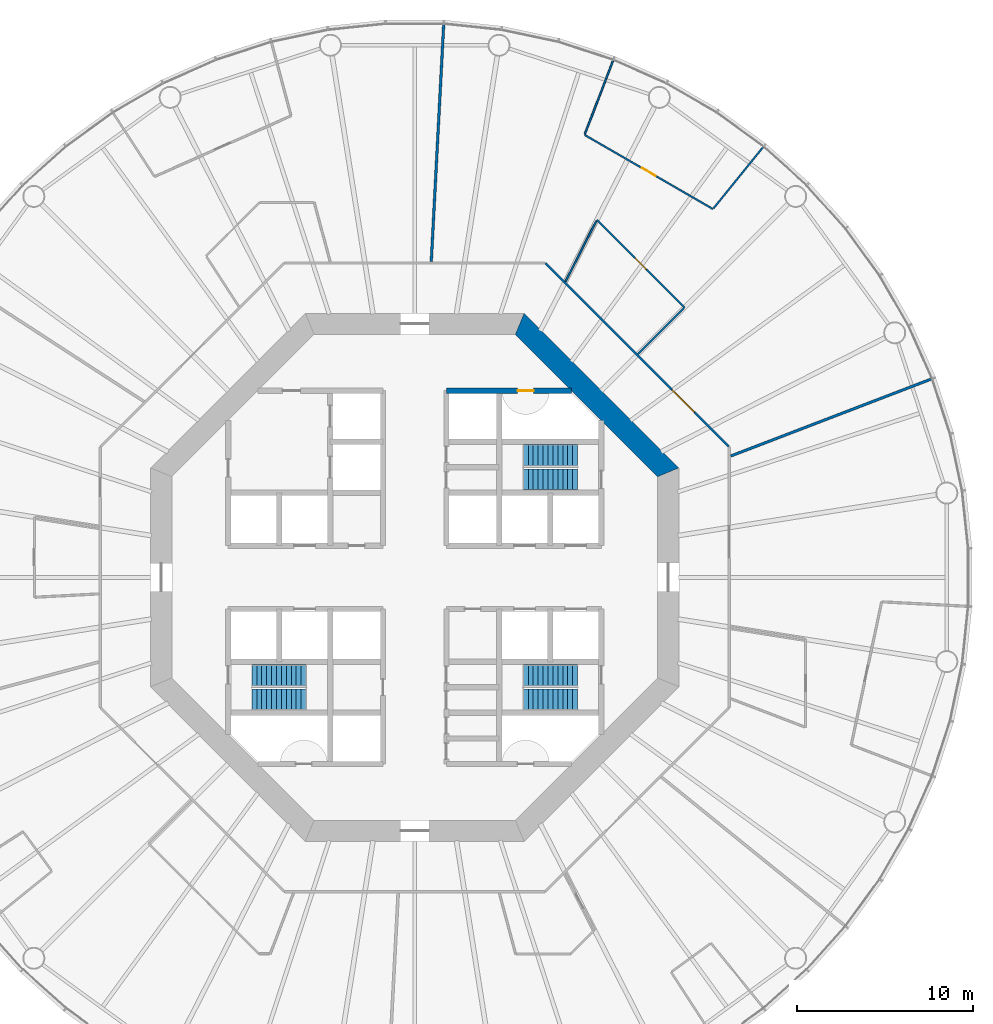
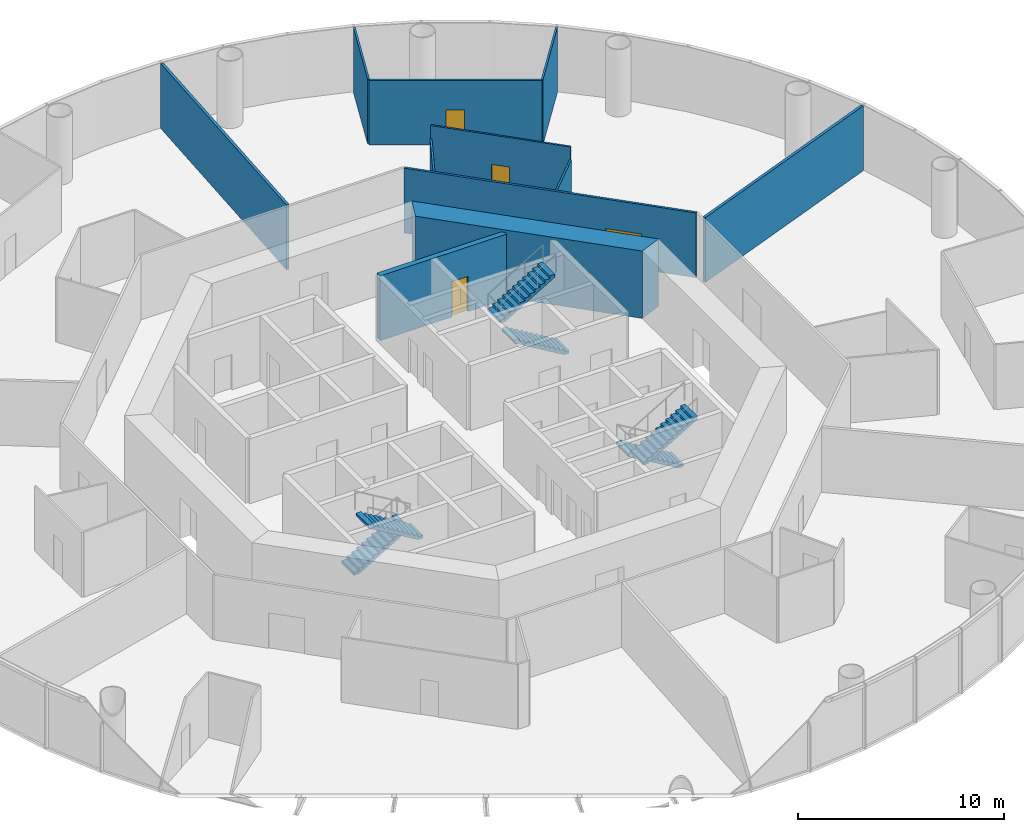
# One storey, part 6 of 13: 11 walls, 6 stair flights, 4 doors, 4 openings, 3 elements without a shape of their own.
"""IFC4 building model written with IfcOpenShell, lengths in metres."""

from ifc_helpers import new_model, si_unit, direction, frame, frame_2d, origin, place, context, subcontext, project, spatial, polyline, rectangle, outline, extrude, material, layer, layer_set, type_object, element, fill, aggregate, save


model = new_model("IFC4")

# Units and contexts
model_context = context("Model", 3, precision=1e-05, world=origin(), true_north=direction((0.0, 1.0)))
body_context = subcontext(model_context, "Body", "Model", "MODEL_VIEW")
ifc_project = project(units=[si_unit("LENGTHUNIT", "METRE"), si_unit("AREAUNIT", "SQUARE_METRE"), si_unit("VOLUMEUNIT", "CUBIC_METRE"), si_unit("PLANEANGLEUNIT", "RADIAN"), si_unit("MASSUNIT", "GRAM", prefix="KILO")], contexts=[model_context])

# Site, building, storey
site_placement = place(None, origin())
site = spatial("IfcSite", under=ifc_project, at=site_placement, CompositionType="ELEMENT")
building_placement = place(site_placement, origin())
building = spatial("IfcBuilding", under=site, at=building_placement, Name="Entoto Ring Tower", CompositionType="ELEMENT")
storey_placement = place(building_placement, frame((0.0, 0.0, 84.0)))
storey = spatial("IfcBuildingStorey", under=building, at=storey_placement, Name="L18", CompositionType="ELEMENT", Elevation=84.0)

# Wall, opening, door
ifc_material_1 = material(Name="Concrete C40/50", Category="concrete")
ifc_layer_1 = layer(ifc_material_1, 0.300048828125)
ifc_layer_set_1 = layer_set([ifc_layer_1], Name="Concrete C40/50")
wall_type_1 = type_object("IfcWallType", Name="Core enclosure wall 300 mm reinforced concrete", PredefinedType="SOLIDWALL", material=ifc_layer_set_1)
wall_1_placement = place(storey_placement, frame((91.800048828125, 90.60009765625, 0.0), z_axis=(0.0, 0.0, 1.0), x_axis=(1.0, 0.0, 0.0)))
wall_1 = element("IfcWall", 1, at=wall_1_placement, inside=storey, type_object=wall_type_1, Name="wall-L18-035", PredefinedType="SOLIDWALL", context=body_context, shape_type="SweptSolid", body=[
    extrude(rectangle(XDim=7.115966796875, YDim=0.300048828125, at=frame_2d((3.55810546875, 0.0))), origin(), (0.0, 0.0, 1.0), 3.85009765625),
])
opening_1_placement = place(wall_1_placement, frame((4.050048828125, 0.0, 0.0)))
opening_1 = element("IfcOpeningElement", 2, at=opening_1_placement, cuts=wall_1, Name="Opening K-72", PredefinedType="OPENING", context=body_context, shape_type="SweptSolid", body=[
    extrude(rectangle(XDim=0.89990234375, YDim=2.10009765625, at=frame_2d((0.449951171875, 1.050048828125))), frame((0.0, 0.16015625, 0.0), z_axis=(0.0, -1.0, 0.0), x_axis=(1.0, 0.0, 0.0)), (0.0, 0.0, 1.0), 0.320068359375),
])
ifc_material_2 = material(Name="Steel door leaf, fire rated", Category="steel")
ifc_layer_2 = layer(ifc_material_2, 0.050048828125)
ifc_layer_set_2 = layer_set([ifc_layer_2], Name="Steel door leaf, fire rated")
door_type_1 = type_object("IfcDoorType", Name="Riser door FD60 900 x 2100 single leaf", OperationType="NOTDEFINED", PredefinedType="DOOR", material=ifc_layer_set_2)
door_1_placement = place(opening_1_placement, frame((0.89990234375, 0.0, 0.0), z_axis=(0.0, 0.0, 1.0), x_axis=(-1.0, 0.0, 0.0)))
door_1 = element("IfcDoor", 3, at=door_1_placement, inside=storey, type_object=door_type_1, Name="Door K-72", OperationType="SINGLE_SWING_LEFT", OverallHeight=2.10009765625, OverallWidth=0.89990234375, PredefinedType="DOOR", context=body_context, shape_type="SweptSolid", body=[
    extrude(rectangle(XDim=0.89990234375, YDim=2.10009765625, at=frame_2d((0.449951171875, 1.050048828125))), frame((0.0, 0.02490234375, 0.0), z_axis=(0.0, -1.0, 0.0), x_axis=(1.0, 0.0, 0.0)), (0.0, 0.0, 1.0), 0.050048828125),
])
fill(opening_1, door_1)

# Wall
ifc_material_3 = material(Name="Concrete C60/75", Category="concrete")
ifc_layer_3 = layer(ifc_material_3, 1.199951171875)
ifc_layer_set_3 = layer_set([ifc_layer_3], Name="Concrete C60/75")
wall_type_2 = type_object("IfcWallType", Name="Core shear wall 1200 mm reinforced concrete C60/75", PredefinedType="SHEAR", material=ifc_layer_set_3)
wall_2_placement = place(storey_placement, frame((104.39990234375, 85.964599609375, 0.0), z_axis=(0.0, 0.0, 1.0), x_axis=(-0.707106781187, 0.707106781187, 0.0)))
element("IfcWall", 4, at=wall_2_placement, inside=storey, type_object=wall_type_2, Name="wall-L18-core-1", PredefinedType="SHEAR", context=body_context, shape_type="SweptSolid", body=[
    extrude(outline(polyline([(-0.24853515625, -0.60009765625), (12.177734375, -0.60009765625), (11.6806640625, 0.60009765625), (0.24853515625, 0.60009765625), (-0.24853515625, -0.60009765625)])), origin(), (0.0, 0.0, 1.0), 4.0),
])

# Wall, opening, door
ifc_material_4 = material(Name="Fire-resisting plasterboard on steel studs", Category="steel")
ifc_layer_4 = layer(ifc_material_4, 0.125)
ifc_layer_set_4 = layer_set([ifc_layer_4], Name="Fire-resisting plasterboard on steel studs")
wall_type_3 = type_object("IfcWallType", Name="Corridor wall 125 mm one-hour plasterboard on steel studs", PredefinedType="PARTITIONING", material=ifc_layer_set_4)
wall_3_placement = place(storey_placement, frame((107.831298828125, 87.429931640625, 0.0), z_axis=(0.0, 0.0, 1.0), x_axis=(-0.707106781187, 0.707106781187, 0.0)))
wall_3 = element("IfcWall", 5, at=wall_3_placement, inside=storey, type_object=wall_type_3, Name="partition-L18-008", PredefinedType="PARTITIONING", context=body_context, shape_type="SweptSolid", body=[
    extrude(rectangle(XDim=14.709716796875, YDim=0.125, at=frame_2d((7.35498046875, 0.0))), origin(), (0.0, 0.0, 1.0), 3.85009765625),
])
opening_2_placement = place(wall_3_placement, frame((2.755615234375, 0.0, 0.0)))
opening_2 = element("IfcOpeningElement", 6, at=opening_2_placement, cuts=wall_3, Name="Opening A08-D04", PredefinedType="OPENING", context=body_context, shape_type="SweptSolid", body=[
    extrude(rectangle(XDim=1.800048828125, YDim=2.10009765625, at=frame_2d((0.89990234375, 1.050048828125))), frame((0.0, 0.072509765625, 0.0), z_axis=(0.0, -1.0, 0.0), x_axis=(1.0, 0.0, 0.0)), (0.0, 0.0, 1.0), 0.14501953125),
])
ifc_material_5 = material(Name="Fire-resisting timber door set", Category="wood")
door_type_2 = type_object("IfcDoorType", Name="Door 1800 x 2100 double leaf FD30S fire door", OperationType="DOUBLE_DOOR_SINGLE_SWING", PredefinedType="DOOR", material=ifc_material_5)
door_2_placement = place(opening_2_placement, frame((1.800048828125, 0.0, 0.0), z_axis=(0.0, 0.0, 1.0), x_axis=(-1.0, 0.0, 0.0)))
door_2 = element("IfcDoor", 7, at=door_2_placement, inside=storey, type_object=door_type_2, Name="Door A08-D04", OperationType="DOUBLE_DOOR_SINGLE_SWING", OverallHeight=2.10009765625, OverallWidth=1.800048828125, PredefinedType="DOOR", context=body_context, shape_type="SweptSolid", body=[
    extrude(rectangle(XDim=1.800048828125, YDim=2.10009765625, at=frame_2d((0.89990234375, 1.050048828125))), frame((0.0, 0.02490234375, 0.0), z_axis=(0.0, -1.0, 0.0), x_axis=(1.0, 0.0, 0.0)), (0.0, 0.0, 1.0), 0.050048828125),
])
fill(opening_2, door_2)

ifc_material_6 = material(Name="Plasterboard on steel studs", Category="steel")
ifc_layer_5 = layer(ifc_material_6, 0.10009765625)
ifc_layer_set_5 = layer_set([ifc_layer_5], Name="Plasterboard on steel studs")
wall_type_4 = type_object("IfcWallType", Name="Partition 100 mm plasterboard on steel studs", PredefinedType="PARTITIONING", material=ifc_layer_set_5)
wall_4_placement = place(storey_placement, frame((106.94140625, 100.9208984375, 0.0), z_axis=(0.0, 0.0, 1.0), x_axis=(-0.866031604091, 0.499989260601, 0.0)))
wall_4 = element("IfcWall", 8, at=wall_4_placement, inside=storey, type_object=wall_type_4, Name="partition-L18-017", PredefinedType="PARTITIONING", context=body_context, shape_type="SweptSolid", body=[
    extrude(rectangle(XDim=8.422607421875, YDim=0.10009765625, at=frame_2d((4.21142578125, 0.0))), origin(), (0.0, 0.0, 1.0), 3.85009765625),
])
opening_3_placement = place(wall_4_placement, frame((3.76123046875, 0.0, 0.0)))
opening_3 = element("IfcOpeningElement", 9, at=opening_3_placement, cuts=wall_4, Name="Opening A08-D06", PredefinedType="OPENING", context=body_context, shape_type="SweptSolid", body=[
    extrude(rectangle(XDim=0.89990234375, YDim=2.10009765625, at=frame_2d((0.449951171875, 1.050048828125))), frame((0.0, 0.06005859375, 0.0), z_axis=(0.0, -1.0, 0.0), x_axis=(1.0, 0.0, 0.0)), (0.0, 0.0, 1.0), 0.1201171875),
])
ifc_material_7 = material(Name="Veneered timber door leaf in timber frame", Category="wood")
door_type_3 = type_object("IfcDoorType", Name="Door 900 x 2100 single leaf timber veneer", OperationType="NOTDEFINED", PredefinedType="DOOR", material=ifc_material_7)
door_3_placement = place(opening_3_placement, frame((0.89990234375, 0.0, 0.0), z_axis=(0.0, 0.0, 1.0), x_axis=(-1.0, 0.0, 0.0)))
door_3 = element("IfcDoor", 10, at=door_3_placement, inside=storey, type_object=door_type_3, Name="Door A08-D06", OperationType="SINGLE_SWING_RIGHT", OverallHeight=2.10009765625, OverallWidth=0.89990234375, PredefinedType="DOOR", context=body_context, shape_type="SweptSolid", body=[
    extrude(rectangle(XDim=0.89990234375, YDim=2.10009765625, at=frame_2d((0.449951171875, 1.050048828125))), frame((0.0, 0.02490234375, 0.0), z_axis=(0.0, -1.0, 0.0), x_axis=(1.0, 0.0, 0.0)), (0.0, 0.0, 1.0), 0.050048828125),
])
fill(opening_3, door_3)

wall_5_placement = place(storey_placement, frame((105.32470703125, 95.32470703125, 0.0), z_axis=(0.0, 0.0, 1.0), x_axis=(-0.707089446102, 0.707124115846, 0.0)))
wall_5 = element("IfcWall", 11, at=wall_5_placement, inside=storey, type_object=wall_type_4, Name="partition-L18-019", PredefinedType="PARTITIONING", context=body_context, shape_type="SweptSolid", body=[
    extrude(rectangle(XDim=7.0419921875, YDim=0.10009765625, at=frame_2d((3.52099609375, 0.0))), origin(), (0.0, 0.0, 1.0), 3.85009765625),
])
opening_4_placement = place(wall_5_placement, frame((3.07080078125, 0.0, 0.0)))
opening_4 = element("IfcOpeningElement", 12, at=opening_4_placement, cuts=wall_5, Name="Opening A08-D05", PredefinedType="OPENING", context=body_context, shape_type="SweptSolid", body=[
    extrude(rectangle(XDim=0.89990234375, YDim=2.10009765625, at=frame_2d((0.449951171875, 1.050048828125))), frame((0.0, 0.06005859375, 0.0), z_axis=(0.0, -1.0, 0.0), x_axis=(1.0, 0.0, 0.0)), (0.0, 0.0, 1.0), 0.1201171875),
])
door_4_placement = place(opening_4_placement, origin())
door_4 = element("IfcDoor", 13, at=door_4_placement, inside=storey, type_object=door_type_3, Name="Door A08-D05", OperationType="SINGLE_SWING_RIGHT", OverallHeight=2.10009765625, OverallWidth=0.89990234375, PredefinedType="DOOR", context=body_context, shape_type="SweptSolid", body=[
    extrude(rectangle(XDim=0.89990234375, YDim=2.10009765625, at=frame_2d((0.449951171875, 1.050048828125))), frame((0.0, 0.02490234375, 0.0), z_axis=(0.0, -1.0, 0.0), x_axis=(1.0, 0.0, 0.0)), (0.0, 0.0, 1.0), 0.050048828125),
])
fill(opening_4, door_4)

# Walls
wall_6_placement = place(storey_placement, frame((99.664794921875, 105.177978515625, 0.0), z_axis=(0.0, 0.0, 1.0), x_axis=(0.35838986467, 0.933572013774, 0.0)))
element("IfcWall", 14, at=wall_6_placement, inside=storey, type_object=wall_type_4, Name="partition-L18-030", PredefinedType="PARTITIONING", context=body_context, shape_type="SweptSolid", body=[
    extrude(rectangle(XDim=4.470703125, YDim=0.10009765625, at=frame_2d((2.2353515625, 0.0))), origin(), (0.0, 0.0, 1.0), 3.85009765625),
])
wall_7_placement = place(storey_placement, frame((106.972412109375, 100.958984375, 0.0), z_axis=(0.0, 0.0, 1.0), x_axis=(0.629292477431, 0.77716856463, 0.0)))
element("IfcWall", 15, at=wall_7_placement, inside=storey, type_object=wall_type_4, Name="partition-L18-031", PredefinedType="PARTITIONING", context=body_context, shape_type="SweptSolid", body=[
    extrude(rectangle(XDim=4.470947265625, YDim=0.10009765625, at=frame_2d((2.2353515625, 0.0))), origin(), (0.0, 0.0, 1.0), 3.85009765625),
])
ifc_material_8 = material(Name="Plasterboard on steel studs", Category="steel")
ifc_layer_6 = layer(ifc_material_8, 0.10009765625)
ifc_layer_set_6 = layer_set([ifc_layer_6], Name="Plasterboard on steel studs")
wall_type_5 = type_object("IfcWallType", Name="Partition 100 mm plasterboard on steel studs, 3097 mm high", PredefinedType="PARTITIONING", material=ifc_layer_set_6)
wall_8_placement = place(storey_placement, frame((98.56396484375, 96.8076171875, 0.0), z_axis=(0.0, 0.0, 1.0), x_axis=(0.453963724788, 0.891020166201, 0.0)))
element("IfcWall", 16, at=wall_8_placement, inside=storey, type_object=wall_type_5, Name="partition-L18-038", PredefinedType="PARTITIONING", context=body_context, shape_type="SweptSolid", body=[
    extrude(rectangle(XDim=3.85546875, YDim=0.10009765625, at=frame_2d((1.927734375, 0.0))), origin(), (0.0, 0.0, 1.0), 3.096923828125),
])
wall_9_placement = place(storey_placement, frame((102.675048828125, 92.675048828125, 0.0), z_axis=(0.0, 0.0, 1.0), x_axis=(0.707106781187, 0.707106781187, 0.0)))
element("IfcWall", 17, at=wall_9_placement, inside=storey, type_object=wall_type_5, Name="partition-L18-039", PredefinedType="PARTITIONING", context=body_context, shape_type="SweptSolid", body=[
    extrude(rectangle(XDim=3.697021484375, YDim=0.10009765625, at=frame_2d((1.8486328125, 0.0))), origin(), (0.0, 0.0, 1.0), 3.096923828125),
])
ifc_material_9 = material(Name="Fire-resisting acoustic plasterboard on steel studs", Category="steel")
ifc_layer_7 = layer(ifc_material_9, 0.14990234375)
ifc_layer_set_7 = layer_set([ifc_layer_7], Name="Fire-resisting acoustic plasterboard on steel studs")
wall_type_6 = type_object("IfcWallType", Name="Party wall 150 mm one-hour acoustic plasterboard on steel studs", PredefinedType="PARTITIONING", material=ifc_layer_set_7)
wall_10_placement = place(storey_placement, frame((90.939697265625, 97.928955078125, 0.0), z_axis=(0.0, 0.0, 1.0), x_axis=(0.052334599665, 0.998629605849, 0.0)))
element("IfcWall", 18, at=wall_10_placement, inside=storey, type_object=wall_type_6, Name="partition-L18-010", PredefinedType="PARTITIONING", context=body_context, shape_type="SweptSolid", body=[
    extrude(rectangle(XDim=13.486572265625, YDim=0.14990234375, at=frame_2d((6.7431640625, 0.0))), origin(), (0.0, 0.0, 1.0), 3.85009765625),
])
wall_11_placement = place(storey_placement, frame((107.95166015625, 86.89111328125, 0.0), z_axis=(0.0, 0.0, 1.0), x_axis=(0.933583979108, 0.35835869454, 0.0)))
element("IfcWall", 19, at=wall_11_placement, inside=storey, type_object=wall_type_6, Name="partition-L18-014", PredefinedType="PARTITIONING", context=body_context, shape_type="SweptSolid", body=[
    extrude(rectangle(XDim=12.211181640625, YDim=0.14990234375, at=frame_2d((6.10546875, 0.0))), origin(), (0.0, 0.0, 1.0), 3.85009765625),
])

# Stair, stair flights
ifc_material_10 = material(Name="Concrete C40/50", Category="concrete")
stair_type = type_object("IfcStairType", Name="Exit stair 1200 mm dog-leg reinforced concrete", PredefinedType="HALF_TURN_STAIR", material=ifc_material_10)
stair_1_placement = place(storey_placement, origin())
stair_1 = element("IfcStair", 20, at=stair_1_placement, inside=storey, type_object=stair_type, Name="Exit stair 1", PredefinedType="HALF_TURN_STAIR")
ifc_material_11 = material(Name="Concrete C40/50", Category="concrete")
stair_flight_type = type_object("IfcStairFlightType", Name="Stair flight 1200 mm reinforced concrete", PredefinedType="STRAIGHT", material=ifc_material_11)
stair_flight_1_placement = place(storey_placement, frame((99.25, 85.550048828125, 0.0), z_axis=(0.0, 0.0, 1.0), x_axis=(-1.0, 0.0, 0.0)))
stair_flight_1 = element("IfcStairFlight", 21, at=stair_flight_1_placement, type_object=stair_flight_type, Name="ST1 flight 1", NumberOfRisers=12, NumberOfTreads=11, PredefinedType="STRAIGHT", RiserHeight=0.166666667, TreadLength=0.28, context=body_context, shape_type="SweptSolid", body=[
    extrude(outline(polyline([(0.0, 0.0), (0.0, 0.166748046875), (0.280029296875, 0.166748046875), (0.280029296875, 0.333251953125), (0.56005859375, 0.333251953125), (0.56005859375, 0.5), (0.840087890625, 0.5), (0.840087890625, 0.666748046875), (1.1201171875, 0.666748046875), (1.1201171875, 0.833251953125), (1.39990234375, 0.833251953125), (1.39990234375, 1.0), (1.679931640625, 1.0), (1.679931640625, 1.166748046875), (1.9599609375, 1.166748046875), (1.9599609375, 1.333251953125), (2.239990234375, 1.333251953125), (2.239990234375, 1.5), (2.52001953125, 1.5), (2.52001953125, 1.666748046875), (2.800048828125, 1.666748046875), (2.800048828125, 1.833251953125), (3.080078125, 1.833251953125), (3.080078125, 2.0), (3.080078125, 1.658935546875), (0.29296875, 0.0), (0.0, 0.0)])), frame((0.0, 0.60009765625, 0.0), z_axis=(0.0, -1.0, 0.0), x_axis=(1.0, 0.0, 0.0)), (0.0, 0.0, 1.0), 1.199951171875),
])
stair_flight_2_placement = place(storey_placement, frame((96.169921875, 86.949951171875, 2.0), z_axis=(0.0, 0.0, 1.0), x_axis=(1.0, 0.0, 0.0)))
stair_flight_2 = element("IfcStairFlight", 22, at=stair_flight_2_placement, type_object=stair_flight_type, Name="ST1 flight 2", NumberOfRisers=12, NumberOfTreads=11, PredefinedType="STRAIGHT", RiserHeight=0.166666667, TreadLength=0.28, context=body_context, shape_type="SweptSolid", body=[
    extrude(outline(polyline([(0.0, 0.0), (0.0, 0.166748046875), (0.280029296875, 0.166748046875), (0.280029296875, 0.333251953125), (0.56005859375, 0.333251953125), (0.56005859375, 0.5), (0.840087890625, 0.5), (0.840087890625, 0.666748046875), (1.1201171875, 0.666748046875), (1.1201171875, 0.833251953125), (1.39990234375, 0.833251953125), (1.39990234375, 1.0), (1.679931640625, 1.0), (1.679931640625, 1.166748046875), (1.9599609375, 1.166748046875), (1.9599609375, 1.333251953125), (2.239990234375, 1.333251953125), (2.239990234375, 1.5), (2.52001953125, 1.5), (2.52001953125, 1.666748046875), (2.800048828125, 1.666748046875), (2.800048828125, 1.833251953125), (3.080078125, 1.833251953125), (3.080078125, 2.0), (3.080078125, 1.658935546875), (0.29296875, 0.0), (0.0, 0.0)])), frame((0.0, 0.60009765625, 0.0), z_axis=(0.0, -1.0, 0.0), x_axis=(1.0, 0.0, 0.0)), (0.0, 0.0, 1.0), 1.199951171875),
])
aggregate(stair_1, [stair_flight_1, stair_flight_2])

stair_2_placement = place(storey_placement, origin())
stair_2 = element("IfcStair", 23, at=stair_2_placement, inside=storey, type_object=stair_type, Name="Exit stair 2", PredefinedType="HALF_TURN_STAIR")
stair_flight_3_placement = place(storey_placement, frame((80.75, 74.449951171875, 0.0), z_axis=(0.0, 0.0, 1.0), x_axis=(1.0, 0.0, 0.0)))
stair_flight_3 = element("IfcStairFlight", 24, at=stair_flight_3_placement, type_object=stair_flight_type, Name="ST2 flight 1", NumberOfRisers=12, NumberOfTreads=11, PredefinedType="STRAIGHT", RiserHeight=0.166666667, TreadLength=0.28, context=body_context, shape_type="SweptSolid", body=[
    extrude(outline(polyline([(0.0, 0.0), (0.0, 0.166748046875), (0.280029296875, 0.166748046875), (0.280029296875, 0.333251953125), (0.56005859375, 0.333251953125), (0.56005859375, 0.5), (0.840087890625, 0.5), (0.840087890625, 0.666748046875), (1.1201171875, 0.666748046875), (1.1201171875, 0.833251953125), (1.39990234375, 0.833251953125), (1.39990234375, 1.0), (1.679931640625, 1.0), (1.679931640625, 1.166748046875), (1.9599609375, 1.166748046875), (1.9599609375, 1.333251953125), (2.239990234375, 1.333251953125), (2.239990234375, 1.5), (2.52001953125, 1.5), (2.52001953125, 1.666748046875), (2.800048828125, 1.666748046875), (2.800048828125, 1.833251953125), (3.080078125, 1.833251953125), (3.080078125, 2.0), (3.080078125, 1.658935546875), (0.29296875, 0.0), (0.0, 0.0)])), frame((0.0, 0.60009765625, 0.0), z_axis=(0.0, -1.0, 0.0), x_axis=(1.0, 0.0, 0.0)), (0.0, 0.0, 1.0), 1.199951171875),
])
stair_flight_4_placement = place(storey_placement, frame((83.830078125, 73.050048828125, 2.0), z_axis=(0.0, 0.0, 1.0), x_axis=(-1.0, 0.0, 0.0)))
stair_flight_4 = element("IfcStairFlight", 25, at=stair_flight_4_placement, type_object=stair_flight_type, Name="ST2 flight 2", NumberOfRisers=12, NumberOfTreads=11, PredefinedType="STRAIGHT", RiserHeight=0.166666667, TreadLength=0.28, context=body_context, shape_type="SweptSolid", body=[
    extrude(outline(polyline([(0.0, 0.0), (0.0, 0.166748046875), (0.280029296875, 0.166748046875), (0.280029296875, 0.333251953125), (0.56005859375, 0.333251953125), (0.56005859375, 0.5), (0.840087890625, 0.5), (0.840087890625, 0.666748046875), (1.1201171875, 0.666748046875), (1.1201171875, 0.833251953125), (1.39990234375, 0.833251953125), (1.39990234375, 1.0), (1.679931640625, 1.0), (1.679931640625, 1.166748046875), (1.9599609375, 1.166748046875), (1.9599609375, 1.333251953125), (2.239990234375, 1.333251953125), (2.239990234375, 1.5), (2.52001953125, 1.5), (2.52001953125, 1.666748046875), (2.800048828125, 1.666748046875), (2.800048828125, 1.833251953125), (3.080078125, 1.833251953125), (3.080078125, 2.0), (3.080078125, 1.658935546875), (0.29296875, 0.0), (0.0, 0.0)])), frame((0.0, 0.60009765625, 0.0), z_axis=(0.0, -1.0, 0.0), x_axis=(1.0, 0.0, 0.0)), (0.0, 0.0, 1.0), 1.199951171875),
])
aggregate(stair_2, [stair_flight_3, stair_flight_4])

stair_3_placement = place(storey_placement, origin())
stair_3 = element("IfcStair", 26, at=stair_3_placement, inside=storey, type_object=stair_type, Name="Exit stair 3", PredefinedType="HALF_TURN_STAIR")
stair_flight_5_placement = place(storey_placement, frame((99.25, 74.449951171875, 0.0), z_axis=(0.0, 0.0, 1.0), x_axis=(-1.0, 0.0, 0.0)))
stair_flight_5 = element("IfcStairFlight", 27, at=stair_flight_5_placement, type_object=stair_flight_type, Name="ST3 flight 1", NumberOfRisers=12, NumberOfTreads=11, PredefinedType="STRAIGHT", RiserHeight=0.166666667, TreadLength=0.28, context=body_context, shape_type="SweptSolid", body=[
    extrude(outline(polyline([(0.0, 0.0), (0.0, 0.166748046875), (0.280029296875, 0.166748046875), (0.280029296875, 0.333251953125), (0.56005859375, 0.333251953125), (0.56005859375, 0.5), (0.840087890625, 0.5), (0.840087890625, 0.666748046875), (1.1201171875, 0.666748046875), (1.1201171875, 0.833251953125), (1.39990234375, 0.833251953125), (1.39990234375, 1.0), (1.679931640625, 1.0), (1.679931640625, 1.166748046875), (1.9599609375, 1.166748046875), (1.9599609375, 1.333251953125), (2.239990234375, 1.333251953125), (2.239990234375, 1.5), (2.52001953125, 1.5), (2.52001953125, 1.666748046875), (2.800048828125, 1.666748046875), (2.800048828125, 1.833251953125), (3.080078125, 1.833251953125), (3.080078125, 2.0), (3.080078125, 1.658935546875), (0.29296875, 0.0), (0.0, 0.0)])), frame((0.0, 0.60009765625, 0.0), z_axis=(0.0, -1.0, 0.0), x_axis=(1.0, 0.0, 0.0)), (0.0, 0.0, 1.0), 1.199951171875),
])
stair_flight_6_placement = place(storey_placement, frame((96.169921875, 73.050048828125, 2.0), z_axis=(0.0, 0.0, 1.0), x_axis=(1.0, 0.0, 0.0)))
stair_flight_6 = element("IfcStairFlight", 28, at=stair_flight_6_placement, type_object=stair_flight_type, Name="ST3 flight 2", NumberOfRisers=12, NumberOfTreads=11, PredefinedType="STRAIGHT", RiserHeight=0.166666667, TreadLength=0.28, context=body_context, shape_type="SweptSolid", body=[
    extrude(outline(polyline([(0.0, 0.0), (0.0, 0.166748046875), (0.280029296875, 0.166748046875), (0.280029296875, 0.333251953125), (0.56005859375, 0.333251953125), (0.56005859375, 0.5), (0.840087890625, 0.5), (0.840087890625, 0.666748046875), (1.1201171875, 0.666748046875), (1.1201171875, 0.833251953125), (1.39990234375, 0.833251953125), (1.39990234375, 1.0), (1.679931640625, 1.0), (1.679931640625, 1.166748046875), (1.9599609375, 1.166748046875), (1.9599609375, 1.333251953125), (2.239990234375, 1.333251953125), (2.239990234375, 1.5), (2.52001953125, 1.5), (2.52001953125, 1.666748046875), (2.800048828125, 1.666748046875), (2.800048828125, 1.833251953125), (3.080078125, 1.833251953125), (3.080078125, 2.0), (3.080078125, 1.658935546875), (0.29296875, 0.0), (0.0, 0.0)])), frame((0.0, 0.60009765625, 0.0), z_axis=(0.0, -1.0, 0.0), x_axis=(1.0, 0.0, 0.0)), (0.0, 0.0, 1.0), 1.199951171875),
])
aggregate(stair_3, [stair_flight_5, stair_flight_6])

save(model, "model.ifc")
